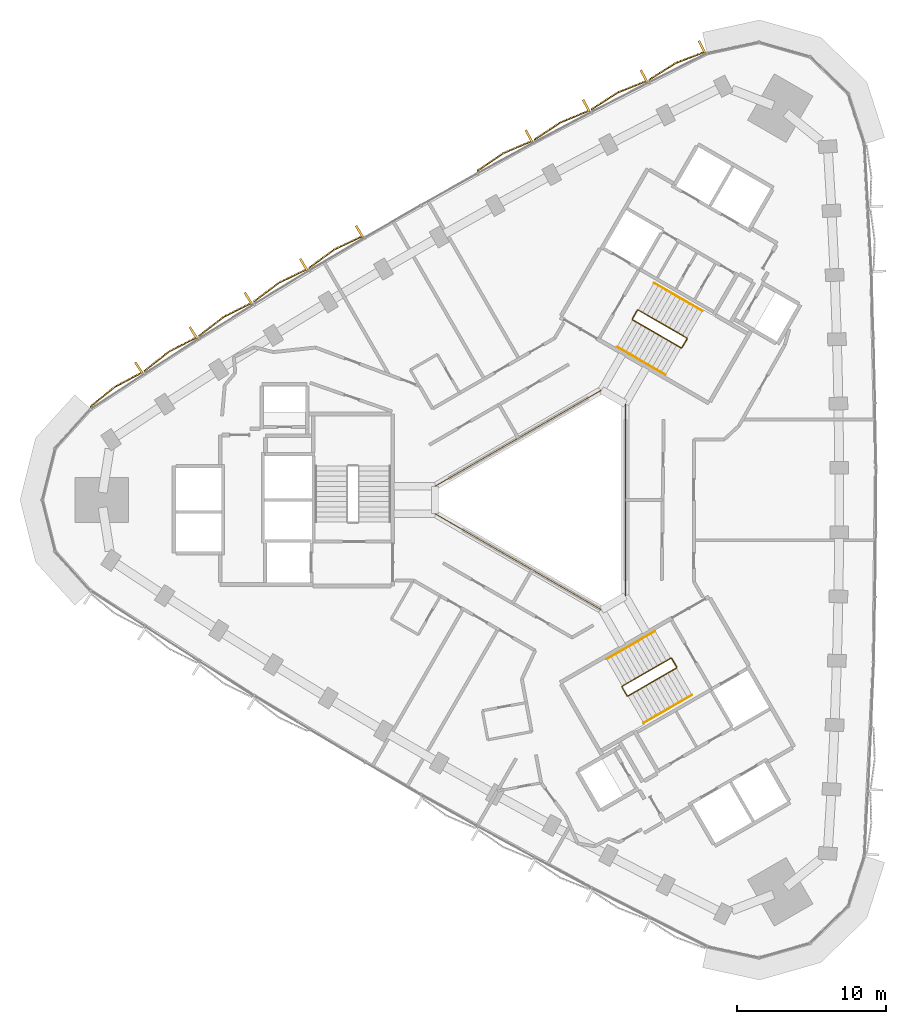
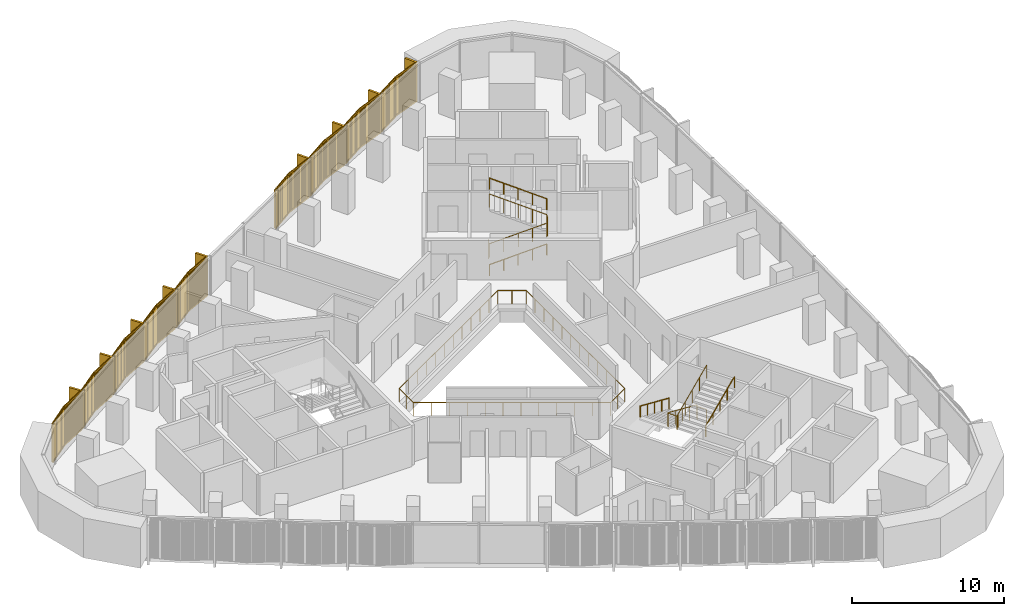
# One storey, part 13 of 14: 9 coverings, 7 railings.
"""IFC4 building model written with IfcOpenShell, lengths in metres."""

import ifcopenshell
import ifcopenshell.guid

model = None  # the IFC model being written
_history = None  # IfcOwnerHistory: only IFC2X3 demands one
_inside = {}  # id of a spatial element -> (the spatial element, [elements in it])
_under = {}  # id of a project, library or spatial element -> (it, [spatial elements below it])
_declared = {}  # id of a project -> (the project, [libraries it declares])
_typed = {}  # id of a type object -> (the type object, [elements of that type])
_made_of = {}  # id of a material, layer set ... -> (it, [elements and type objects made of it])


def new_model(schema):
    """Start an empty IFC model of exactly this schema.

    Asked for "IFC4X3", IfcOpenShell would pick the latest addendum, in which some entities
    have other attributes; the version numbers below select the first issue.
    IFC2X3 requires an IfcOwnerHistory on every rooted entity: one is made here for all.
    """
    global model, _history
    if schema == "IFC4X3":
        model = ifcopenshell.file(schema_version=(4, 3, 0, 0))
    else:
        model = ifcopenshell.file(schema=schema)
    _inside.clear()
    _under.clear()
    _declared.clear()
    _typed.clear()
    _made_of.clear()
    _history = None
    if model.schema == "IFC2X3":
        org = make("IfcOrganization", Name="unknown")
        user = make(
            "IfcPersonAndOrganization",
            ThePerson=make("IfcPerson", FamilyName="unknown"),
            TheOrganization=org,
        )
        app = make(
            "IfcApplication",
            ApplicationDeveloper=org,
            Version="unknown",
            ApplicationFullName="unknown",
            ApplicationIdentifier="unknown",
        )
        _history = make(
            "IfcOwnerHistory",
            OwningUser=user,
            OwningApplication=app,
            ChangeAction="ADDED",
            CreationDate=0,
        )
    return model


def make(cls, **values):
    """One entity of the class cls with the attributes given. An attribute that is None is left unset."""
    return model.create_entity(
        cls, **{name: value for name, value in values.items() if value is not None}
    )


def rooted(cls, **values):
    """An entity with a GlobalId (a new one), such as an element, a storey or a relation."""
    return make(cls, GlobalId=ifcopenshell.guid.new(), OwnerHistory=_history, **values)


def si_unit(unit_type, name, prefix=None):
    """IfcSIUnit, for example si_unit("LENGTHUNIT", "METRE", prefix="MILLI")."""
    return make("IfcSIUnit", UnitType=unit_type, Prefix=prefix, Name=name)


def assignment(units):
    """IfcUnitAssignment: the units of a project."""
    return None if units is None else make("IfcUnitAssignment", Units=units)


def point(xyz):
    """IfcCartesianPoint."""
    return None if xyz is None else make("IfcCartesianPoint", Coordinates=xyz)


def direction(xyz):
    """IfcDirection."""
    return None if xyz is None else make("IfcDirection", DirectionRatios=xyz)


def frame(location, z_axis=None, x_axis=None):
    """IfcAxis2Placement3D, a coordinate frame: its origin and axes. An axis left out is left unset."""
    return make(
        "IfcAxis2Placement3D",
        Location=point(location),
        Axis=direction(z_axis),
        RefDirection=direction(x_axis),
    )


def frame_2d(location, x_axis=None):
    """IfcAxis2Placement2D, a coordinate frame in the plane: its origin and x axis."""
    return make(
        "IfcAxis2Placement2D", Location=point(location), RefDirection=direction(x_axis)
    )


def origin():
    """The frame at (0, 0, 0) with its axes left unset."""
    return frame((0.0, 0.0, 0.0))


def origin_2d():
    """The frame at (0, 0) in the plane with its x axis left unset."""
    return frame_2d((0.0, 0.0))


def place(relative_to, where):
    """IfcLocalPlacement: puts the frame where relative to a parent placement (None: the world)."""
    return make(
        "IfcLocalPlacement", PlacementRelTo=relative_to, RelativePlacement=where
    )


def context(
    kind, dimensions, precision=None, world=None, true_north=None, identifier=None
):
    """IfcGeometricRepresentationContext, for example the 3D "Model" context."""
    return make(
        "IfcGeometricRepresentationContext",
        ContextIdentifier=identifier,
        ContextType=kind,
        CoordinateSpaceDimension=dimensions,
        Precision=precision,
        WorldCoordinateSystem=world,
        TrueNorth=true_north,
    )


def subcontext(parent, identifier, kind, view, scale=None):
    """IfcGeometricRepresentationSubContext, for example "Body" below "Model"."""
    return make(
        "IfcGeometricRepresentationSubContext",
        ContextIdentifier=identifier,
        ContextType=kind,
        ParentContext=parent,
        TargetScale=scale,
        TargetView=view,
    )


def project(units=None, contexts=None):
    """IfcProject with its units and contexts."""
    return rooted(
        "IfcProject",
        Name="project",
        RepresentationContexts=contexts,
        UnitsInContext=assignment(units),
    )


def spatial(cls, under=None, at=None, **own):
    """A site, building, storey or space (cls), placed at a placement, below another one or the project."""
    s = rooted(cls, ObjectPlacement=at, **own)
    if under is not None:
        _under.setdefault(under.id(), (under, []))[1].append(s)
    return s


def profile(cls, at=None, kind="AREA", **sizes):
    """A parametric profile (cls). Its sizes go by their IFC names, for example OverallWidth=200.0."""
    return make(cls, ProfileType=kind, Position=at, **sizes)


def rectangle(**sizes):
    """IfcRectangleProfileDef."""
    return profile("IfcRectangleProfileDef", **sizes)


def circle(**sizes):
    """IfcCircleProfileDef."""
    return profile("IfcCircleProfileDef", **sizes)


def extrude(swept, where, along, depth):
    """IfcExtrudedAreaSolid: the profile swept, set in the frame where, extruded along a direction by depth."""
    return make(
        "IfcExtrudedAreaSolid",
        SweptArea=swept,
        Position=where,
        ExtrudedDirection=direction(along),
        Depth=depth,
    )


def shape(context_of_items, identifier, shape_type, items):
    """IfcShapeRepresentation: the items that make up one representation, for example the "Body"."""
    return make(
        "IfcShapeRepresentation",
        ContextOfItems=context_of_items,
        RepresentationIdentifier=identifier,
        RepresentationType=shape_type,
        Items=items,
    )


def source(mapping_origin, context_of_items, identifier, shape_type, items):
    """IfcRepresentationMap: a shape defined once, which mapped items show again and again."""
    return make(
        "IfcRepresentationMap",
        MappingOrigin=mapping_origin,
        MappedRepresentation=shape(context_of_items, identifier, shape_type, items),
    )


def transform(
    local_origin,
    x_axis=None,
    y_axis=None,
    z_axis=None,
    scale=None,
    scale2=None,
    scale3=None,
    uniform=True,
):
    """IfcCartesianTransformationOperator3D, or its non-uniform kind. x_axis, y_axis, z_axis: its Axis1, 2, 3."""
    if uniform:
        return make(
            "IfcCartesianTransformationOperator3D",
            Axis1=direction(x_axis),
            Axis2=direction(y_axis),
            LocalOrigin=point(local_origin),
            Scale=scale,
            Axis3=direction(z_axis),
        )
    return make(
        "IfcCartesianTransformationOperator3DnonUniform",
        Axis1=direction(x_axis),
        Axis2=direction(y_axis),
        LocalOrigin=point(local_origin),
        Scale=scale,
        Axis3=direction(z_axis),
        Scale2=scale2,
        Scale3=scale3,
    )


def mapped(mapping_source, mapping_target):
    """IfcMappedItem: shows the shape of a source again, moved by a transform."""
    return make(
        "IfcMappedItem", MappingSource=mapping_source, MappingTarget=mapping_target
    )


def material(Name=None, Category=None):
    """IfcMaterial."""
    return make("IfcMaterial", Name=Name, Category=Category)


def made_of(thing, what):
    """Note that an element or type object is made of a material, layer set ...; save() writes the relation."""
    if what is not None:
        _made_of.setdefault(what.id(), (what, []))[1].append(thing)
    return thing


def type_object(cls, material=None, **own):
    """A type object (cls), such as IfcWallType, which elements share."""
    return made_of(rooted(cls, **own), material)


def element(
    cls,
    number,
    at=None,
    inside=None,
    cuts=None,
    type_object=None,
    material=None,
    context=None,
    identifier="Body",
    shape_type=None,
    held_by="IfcProductDefinitionShape",
    body=None,
    shapes=None,
    **own,
):
    """One element of the class cls, such as IfcWall. Its Tag is "e" and its number.

    at: its placement. inside: the storey or other place that contains it. cuts: it is an
    opening in that element (IfcRelVoidsElement). A single representation is given by context,
    identifier, shape_type and body (its items); several are given by shapes. held_by: the class
    of the entity that holds the representations. save() writes the other relations.
    """
    e = rooted(cls, Tag="e%d" % number, ObjectPlacement=at, **own)
    if body is not None:
        shapes = [shape(context, identifier, shape_type, body)]
    if shapes is not None:
        e.Representation = make(held_by, Representations=shapes)
    if inside is not None:
        _inside.setdefault(inside.id(), (inside, []))[1].append(e)
    if cuts is not None:
        rooted(
            "IfcRelVoidsElement", RelatingBuildingElement=cuts, RelatedOpeningElement=e
        )
    if type_object is not None:
        _typed.setdefault(type_object.id(), (type_object, []))[1].append(e)
    return made_of(e, material)


def aggregate(whole, parts):
    """IfcRelAggregates: a whole, such as a stair, and the parts it consists of."""
    return rooted("IfcRelAggregates", RelatingObject=whole, RelatedObjects=parts)


def save(model, path):
    """Write the relations noted so far, then the file.

    IfcRelAggregates (storeys below a building ...), IfcRelContainedInSpatialStructure (elements
    in a storey), IfcRelDefinesByType, IfcRelAssociatesMaterial and IfcRelDeclares: one each for
    every whole, place, type object, material and project.
    """
    for whole, parts in _under.values():
        aggregate(whole, parts)
    for where, things in _inside.values():
        rooted(
            "IfcRelContainedInSpatialStructure",
            RelatedElements=things,
            RelatingStructure=where,
        )
    for kind, things in _typed.values():
        rooted("IfcRelDefinesByType", RelatedObjects=things, RelatingType=kind)
    for what, things in _made_of.values():
        rooted("IfcRelAssociatesMaterial", RelatedObjects=things, RelatingMaterial=what)
    for by, libraries in _declared.values():
        rooted("IfcRelDeclares", RelatingContext=by, RelatedDefinitions=libraries)
    model.write(path)


model = new_model("IFC4")

# Units and contexts
model_context = context("Model", 3, precision=1e-05, world=origin(), true_north=direction((0.0, 1.0)))
body_context = subcontext(model_context, "Body", "Model", "MODEL_VIEW")
ifc_project = project(units=[si_unit("LENGTHUNIT", "METRE"), si_unit("AREAUNIT", "SQUARE_METRE"), si_unit("VOLUMEUNIT", "CUBIC_METRE"), si_unit("PLANEANGLEUNIT", "RADIAN"), si_unit("MASSUNIT", "GRAM", prefix="KILO")], contexts=[model_context])

# Site, building, storey
site_placement = place(None, origin())
site = spatial("IfcSite", under=ifc_project, at=site_placement, CompositionType="ELEMENT")
building_placement = place(site_placement, origin())
building = spatial("IfcBuilding", under=site, at=building_placement, Name="Tamra Quay Hotel Tower", CompositionType="ELEMENT")
storey_placement = place(building_placement, frame((0.0, 0.0, 146.800048828125)))
storey = spatial("IfcBuildingStorey", under=building, at=storey_placement, Name="L36", CompositionType="ELEMENT", Elevation=146.800048828125)

# Railings
ifc_material_1 = material(Name="Guard atrium edge 1100")
railing_type_1 = type_object("IfcRailingType", Name="Guard atrium edge 1100", PredefinedType="GUARDRAIL", material=ifc_material_1)
railing_1_placement = place(storey_placement, frame((4.800048828125, -6.466064453125, 0.0)))
element("IfcRailing", 1, at=railing_1_placement, inside=storey, type_object=railing_type_1, Name="G-A", PredefinedType="GUARDRAIL", context=body_context, shape_type="SweptSolid", body=[
    extrude(circle(Radius=0.02392578125, at=origin_2d()), frame((0.0, 0.0, 1.076171875), z_axis=(-0.86602275259, -0.500004591975, 0.0), x_axis=(0.500004591975, -0.86602275259, 0.0)), (0.0, 0.0, 1.0), 1.84765625),
    extrude(circle(Radius=0.02392578125, at=origin_2d()), frame((-1.60009765625, -0.923828125, 1.076171875), z_axis=(-0.86604129137, 0.499972480886, 0.0), x_axis=(-0.499972480886, -0.86604129137, 0.0)), (0.0, 0.0, 1.0), 12.932373046875),
    extrude(circle(Radius=0.02392578125, at=origin_2d()), frame((-12.800048828125, 5.5419921875, 1.076171875), z_axis=(0.0, 1.0, 0.0), x_axis=(-1.0, 0.0, 0.0)), (0.0, 0.0, 1.0), 1.84814453125),
    extrude(circle(Radius=0.02392578125, at=origin_2d()), frame((-12.800048828125, 7.39013671875, 1.076171875), z_axis=(0.86604129137, 0.499972480886, 0.0), x_axis=(-0.499972480886, 0.86604129137, 0.0)), (0.0, 0.0, 1.0), 12.932373046875),
    extrude(circle(Radius=0.02392578125, at=origin_2d()), frame((-1.60009765625, 13.85595703125, 1.076171875), z_axis=(0.86602275259, -0.500004591975, 0.0), x_axis=(0.500004591975, 0.86602275259, 0.0)), (0.0, 0.0, 1.0), 1.84765625),
    extrude(circle(Radius=0.02392578125, at=origin_2d()), frame((0.0, 12.93212890625, 1.076171875), z_axis=(0.0, -1.0, 0.0), x_axis=(1.0, 0.0, 0.0)), (0.0, 0.0, 1.0), 12.93212890625),
    extrude(circle(Radius=0.02099609375, at=origin_2d()), origin(), (0.0, 0.0, 1.0), 1.052001953125),
    extrude(circle(Radius=0.02099609375, at=origin_2d()), frame((-0.800048828125, -0.4619140625, 0.0)), (0.0, 0.0, 1.0), 1.052001953125),
    extrude(circle(Radius=0.02099609375, at=origin_2d()), frame((-1.60009765625, -0.923828125, 0.0)), (0.0, 0.0, 1.0), 1.052001953125),
    extrude(circle(Radius=0.02099609375, at=origin_2d()), frame((-2.6181640625, -0.3359375, 0.0)), (0.0, 0.0, 1.0), 1.052001953125),
    extrude(circle(Radius=0.02099609375, at=origin_2d()), frame((-3.636474609375, 0.251708984375, 0.0)), (0.0, 0.0, 1.0), 1.052001953125),
    extrude(circle(Radius=0.02099609375, at=origin_2d()), frame((-4.654541015625, 0.839599609375, 0.0)), (0.0, 0.0, 1.0), 1.052001953125),
    extrude(circle(Radius=0.02099609375, at=origin_2d()), frame((-5.6728515625, 1.427490234375, 0.0)), (0.0, 0.0, 1.0), 1.052001953125),
    extrude(circle(Radius=0.02099609375, at=origin_2d()), frame((-6.69091796875, 2.01513671875, 0.0)), (0.0, 0.0, 1.0), 1.052001953125),
    extrude(circle(Radius=0.02099609375, at=origin_2d()), frame((-7.709228515625, 2.60302734375, 0.0)), (0.0, 0.0, 1.0), 1.052001953125),
    extrude(circle(Radius=0.02099609375, at=origin_2d()), frame((-8.727294921875, 3.190673828125, 0.0)), (0.0, 0.0, 1.0), 1.052001953125),
    extrude(circle(Radius=0.02099609375, at=origin_2d()), frame((-9.74560546875, 3.778564453125, 0.0)), (0.0, 0.0, 1.0), 1.052001953125),
    extrude(circle(Radius=0.02099609375, at=origin_2d()), frame((-10.763671875, 4.366455078125, 0.0)), (0.0, 0.0, 1.0), 1.052001953125),
    extrude(circle(Radius=0.02099609375, at=origin_2d()), frame((-11.781982421875, 4.9541015625, 0.0)), (0.0, 0.0, 1.0), 1.052001953125),
    extrude(circle(Radius=0.02099609375, at=origin_2d()), frame((-12.800048828125, 5.5419921875, 0.0)), (0.0, 0.0, 1.0), 1.052001953125),
    extrude(circle(Radius=0.02099609375, at=origin_2d()), frame((-12.800048828125, 6.466064453125, 0.0)), (0.0, 0.0, 1.0), 1.052001953125),
    extrude(circle(Radius=0.02099609375, at=origin_2d()), frame((-12.800048828125, 7.39013671875, 0.0)), (0.0, 0.0, 1.0), 1.052001953125),
    extrude(circle(Radius=0.02099609375, at=origin_2d()), frame((-11.781982421875, 7.97802734375, 0.0)), (0.0, 0.0, 1.0), 1.052001953125),
    extrude(circle(Radius=0.02099609375, at=origin_2d()), frame((-10.763671875, 8.565673828125, 0.0)), (0.0, 0.0, 1.0), 1.052001953125),
    extrude(circle(Radius=0.02099609375, at=origin_2d()), frame((-9.74560546875, 9.153564453125, 0.0)), (0.0, 0.0, 1.0), 1.052001953125),
    extrude(circle(Radius=0.02099609375, at=origin_2d()), frame((-8.727294921875, 9.741455078125, 0.0)), (0.0, 0.0, 1.0), 1.052001953125),
    extrude(circle(Radius=0.02099609375, at=origin_2d()), frame((-7.709228515625, 10.3291015625, 0.0)), (0.0, 0.0, 1.0), 1.052001953125),
    extrude(circle(Radius=0.02099609375, at=origin_2d()), frame((-6.69091796875, 10.9169921875, 0.0)), (0.0, 0.0, 1.0), 1.052001953125),
    extrude(circle(Radius=0.02099609375, at=origin_2d()), frame((-5.6728515625, 11.504638671875, 0.0)), (0.0, 0.0, 1.0), 1.052001953125),
    extrude(circle(Radius=0.02099609375, at=origin_2d()), frame((-4.654541015625, 12.092529296875, 0.0)), (0.0, 0.0, 1.0), 1.052001953125),
    extrude(circle(Radius=0.02099609375, at=origin_2d()), frame((-3.636474609375, 12.680419921875, 0.0)), (0.0, 0.0, 1.0), 1.052001953125),
    extrude(circle(Radius=0.02099609375, at=origin_2d()), frame((-2.6181640625, 13.26806640625, 0.0)), (0.0, 0.0, 1.0), 1.052001953125),
    extrude(circle(Radius=0.02099609375, at=origin_2d()), frame((-1.60009765625, 13.85595703125, 0.0)), (0.0, 0.0, 1.0), 1.052001953125),
    extrude(circle(Radius=0.02099609375, at=origin_2d()), frame((-0.800048828125, 13.39404296875, 0.0)), (0.0, 0.0, 1.0), 1.052001953125),
    extrude(circle(Radius=0.02099609375, at=origin_2d()), frame((0.0, 12.93212890625, 0.0)), (0.0, 0.0, 1.0), 1.052001953125),
    extrude(circle(Radius=0.02099609375, at=origin_2d()), frame((0.0, 11.756591796875, 0.0)), (0.0, 0.0, 1.0), 1.052001953125),
    extrude(circle(Radius=0.02099609375, at=origin_2d()), frame((0.0, 10.580810546875, 0.0)), (0.0, 0.0, 1.0), 1.052001953125),
    extrude(circle(Radius=0.02099609375, at=origin_2d()), frame((0.0, 9.4052734375, 0.0)), (0.0, 0.0, 1.0), 1.052001953125),
    extrude(circle(Radius=0.02099609375, at=origin_2d()), frame((0.0, 8.2294921875, 0.0)), (0.0, 0.0, 1.0), 1.052001953125),
    extrude(circle(Radius=0.02099609375, at=origin_2d()), frame((0.0, 7.053955078125, 0.0)), (0.0, 0.0, 1.0), 1.052001953125),
    extrude(circle(Radius=0.02099609375, at=origin_2d()), frame((0.0, 5.878173828125, 0.0)), (0.0, 0.0, 1.0), 1.052001953125),
    extrude(circle(Radius=0.02099609375, at=origin_2d()), frame((0.0, 4.70263671875, 0.0)), (0.0, 0.0, 1.0), 1.052001953125),
    extrude(circle(Radius=0.02099609375, at=origin_2d()), frame((0.0, 3.52685546875, 0.0)), (0.0, 0.0, 1.0), 1.052001953125),
    extrude(circle(Radius=0.02099609375, at=origin_2d()), frame((0.0, 2.351318359375, 0.0)), (0.0, 0.0, 1.0), 1.052001953125),
    extrude(circle(Radius=0.02099609375, at=origin_2d()), frame((0.0, 1.175537109375, 0.0)), (0.0, 0.0, 1.0), 1.052001953125),
])
ifc_material_2 = material(Name="Stair guard 1100")
railing_type_2 = type_object("IfcRailingType", Name="Stair guard 1100", PredefinedType="GUARDRAIL", material=ifc_material_2)
railing_2_placement = place(storey_placement, frame((5.595458984375, 12.751953125, 0.0)))
element("IfcRailing", 2, at=railing_2_placement, inside=storey, type_object=railing_type_2, Name="GR", PredefinedType="GUARDRAIL", context=body_context, shape_type="SweptSolid", body=[
    extrude(circle(Radius=0.02392578125, at=origin_2d()), frame((0.0, 0.0, 1.076171875), z_axis=(-0.499765215335, -0.866160914346, 0.0), x_axis=(0.866160914346, -0.499765215335, 0.0)), (0.0, 0.0, 1.0), 0.658935546875),
    extrude(circle(Radius=0.02392578125, at=origin_2d()), frame((-0.329345703125, -0.57080078125, 1.076171875), z_axis=(0.110525977783, -0.411156637351, 0.904839338113), x_axis=(0.965715946433, 0.259601060869, 0.0)), (0.0, 0.0, 1.0), 0.165771484375),
    extrude(circle(Radius=0.02392578125, at=origin_2d()), frame((-0.31103515625, -0.638916015625, 1.22607421875), z_axis=(0.79305953016, -0.457922937641, 0.401700342053), x_axis=(0.500040788363, 0.866001853331, 0.0)), (0.0, 0.0, 1.0), 4.10791015625),
    extrude(circle(Radius=0.02392578125, at=origin_2d()), frame((2.94677734375, -2.52001953125, 2.8759765625), z_axis=(0.965948051503, 0.258736085224, 0.0), x_axis=(-0.258736085224, 0.965948051503, 0.0)), (0.0, 0.0, 1.0), 0.07080078125),
    extrude(circle(Radius=0.02392578125, at=origin_2d()), frame((3.01513671875, -2.501708984375, 2.8759765625), z_axis=(0.500043078269, 0.866000531106, 0.0), x_axis=(-0.866000531106, 0.500043078269, 0.0)), (0.0, 0.0, 1.0), 0.6591796875),
    extrude(circle(Radius=0.02392578125, at=origin_2d()), frame((3.3447265625, -1.930908203125, 2.8759765625), z_axis=(-0.110525977783, 0.411156637351, 0.904839338113), x_axis=(-0.965715946433, -0.259601060869, 0.0)), (0.0, 0.0, 1.0), 0.165771484375),
    extrude(circle(Radius=0.02392578125, at=origin_2d()), frame((3.326416015625, -1.86279296875, 3.02587890625), z_axis=(-0.793100512587, 0.457912285461, 0.401631567183), x_axis=(-0.500012686397, -0.866018079166, 0.0)), (0.0, 0.0, 1.0), 4.10791015625),
    extrude(circle(Radius=0.02099609375, at=origin_2d()), origin(), (0.0, 0.0, 1.0), 1.052001953125),
    extrude(circle(Radius=0.02099609375, at=origin_2d()), frame((-0.329345703125, -0.57080078125, 0.0)), (0.0, 0.0, 1.0), 1.052001953125),
    extrude(circle(Radius=0.02099609375, at=origin_2d()), frame((-0.31103515625, -0.638916015625, 0.14990234375)), (0.0, 0.0, 1.0), 1.052001953125),
    extrude(circle(Radius=0.02099609375, at=origin_2d()), frame((0.50341796875, -1.109130859375, 0.5625)), (0.0, 0.0, 1.0), 1.052001953125),
    extrude(circle(Radius=0.02099609375, at=origin_2d()), frame((1.31787109375, -1.57958984375, 0.97509765625)), (0.0, 0.0, 1.0), 1.052001953125),
    extrude(circle(Radius=0.02099609375, at=origin_2d()), frame((2.13232421875, -2.0498046875, 1.387451171875)), (0.0, 0.0, 1.0), 1.052001953125),
    extrude(circle(Radius=0.02099609375, at=origin_2d()), frame((2.94677734375, -2.52001953125, 1.800048828125)), (0.0, 0.0, 1.0), 1.052001953125),
    extrude(circle(Radius=0.02099609375, at=origin_2d()), frame((3.01513671875, -2.501708984375, 1.800048828125)), (0.0, 0.0, 1.0), 1.052001953125),
    extrude(circle(Radius=0.02099609375, at=origin_2d()), frame((3.3447265625, -1.930908203125, 1.800048828125)), (0.0, 0.0, 1.0), 1.052001953125),
    extrude(circle(Radius=0.02099609375, at=origin_2d()), frame((3.326416015625, -1.86279296875, 1.949951171875)), (0.0, 0.0, 1.0), 1.052001953125),
    extrude(circle(Radius=0.02099609375, at=origin_2d()), frame((2.511962890625, -1.392578125, 2.3623046875)), (0.0, 0.0, 1.0), 1.052001953125),
    extrude(circle(Radius=0.02099609375, at=origin_2d()), frame((1.697265625, -0.92236328125, 2.77490234375)), (0.0, 0.0, 1.0), 1.052001953125),
    extrude(circle(Radius=0.02099609375, at=origin_2d()), frame((0.8828125, -0.451904296875, 3.1875)), (0.0, 0.0, 1.0), 1.052001953125),
    extrude(circle(Radius=0.02099609375, at=origin_2d()), frame((0.068359375, 0.018310546875, 3.599853515625)), (0.0, 0.0, 1.0), 1.052001953125),
])
railing_3_placement = place(storey_placement, frame((8.245849609375, -11.221923828125, 0.0)))
element("IfcRailing", 3, at=railing_3_placement, inside=storey, type_object=railing_type_2, Name="GR", PredefinedType="GUARDRAIL", context=body_context, shape_type="SweptSolid", body=[
    extrude(circle(Radius=0.02392578125, at=origin_2d()), frame((0.0, 0.0, 1.076171875), z_axis=(-0.500043078269, 0.866000531106, 0.0), x_axis=(-0.866000531106, -0.500043078269, 0.0)), (0.0, 0.0, 1.0), 0.6591796875),
    extrude(circle(Radius=0.02392578125, at=origin_2d()), frame((-0.32958984375, 0.57080078125, 1.076171875), z_axis=(-0.41238007866, 0.110458949641, 0.904290601062), x_axis=(-0.258736085224, -0.965948051503, 0.0)), (0.0, 0.0, 1.0), 0.165771484375),
    extrude(circle(Radius=0.02392578125, at=origin_2d()), frame((-0.39794921875, 0.589111328125, 1.22607421875), z_axis=(-0.793081581205, -0.457901355053, 0.401681409319), x_axis=(0.500012686397, -0.866018079166, 0.0)), (0.0, 0.0, 1.0), 4.108154296875),
    extrude(circle(Radius=0.02392578125, at=origin_2d()), frame((-3.656005859375, -1.2919921875, 2.8759765625), z_axis=(-0.256368644879, -0.966579080015, 0.0), x_axis=(0.966579080015, -0.256368644879, 0.0)), (0.0, 0.0, 1.0), 0.070556640625),
    extrude(circle(Radius=0.02392578125, at=origin_2d()), frame((-3.674072265625, -1.360107421875, 2.8759765625), z_axis=(0.499765215335, -0.866160914346, 0.0), x_axis=(0.866160914346, 0.499765215335, 0.0)), (0.0, 0.0, 1.0), 0.658935546875),
    extrude(circle(Radius=0.02392578125, at=origin_2d()), frame((-3.3447265625, -1.930908203125, 2.8759765625), z_axis=(0.41238007866, -0.110458949641, 0.904290601062), x_axis=(0.258736085224, 0.965948051503, 0.0)), (0.0, 0.0, 1.0), 0.165771484375),
    extrude(circle(Radius=0.02392578125, at=origin_2d()), frame((-3.2763671875, -1.94921875, 3.02587890625), z_axis=(0.793100512587, 0.457912285461, 0.401631567183), x_axis=(-0.500012686397, 0.866018079166, 0.0)), (0.0, 0.0, 1.0), 4.10791015625),
    extrude(circle(Radius=0.02099609375, at=origin_2d()), origin(), (0.0, 0.0, 1.0), 1.052001953125),
    extrude(circle(Radius=0.02099609375, at=origin_2d()), frame((-0.32958984375, 0.57080078125, 0.0)), (0.0, 0.0, 1.0), 1.052001953125),
    extrude(circle(Radius=0.02099609375, at=origin_2d()), frame((-0.39794921875, 0.589111328125, 0.14990234375)), (0.0, 0.0, 1.0), 1.052001953125),
    extrude(circle(Radius=0.02099609375, at=origin_2d()), frame((-1.21240234375, 0.118896484375, 0.5625)), (0.0, 0.0, 1.0), 1.052001953125),
    extrude(circle(Radius=0.02099609375, at=origin_2d()), frame((-2.02685546875, -0.3515625, 0.97509765625)), (0.0, 0.0, 1.0), 1.052001953125),
    extrude(circle(Radius=0.02099609375, at=origin_2d()), frame((-2.841552734375, -0.82177734375, 1.387451171875)), (0.0, 0.0, 1.0), 1.052001953125),
    extrude(circle(Radius=0.02099609375, at=origin_2d()), frame((-3.656005859375, -1.2919921875, 1.800048828125)), (0.0, 0.0, 1.0), 1.052001953125),
    extrude(circle(Radius=0.02099609375, at=origin_2d()), frame((-3.674072265625, -1.360107421875, 1.800048828125)), (0.0, 0.0, 1.0), 1.052001953125),
    extrude(circle(Radius=0.02099609375, at=origin_2d()), frame((-3.3447265625, -1.930908203125, 1.800048828125)), (0.0, 0.0, 1.0), 1.052001953125),
    extrude(circle(Radius=0.02099609375, at=origin_2d()), frame((-3.2763671875, -1.94921875, 1.949951171875)), (0.0, 0.0, 1.0), 1.052001953125),
    extrude(circle(Radius=0.02099609375, at=origin_2d()), frame((-2.4619140625, -1.47900390625, 2.3623046875)), (0.0, 0.0, 1.0), 1.052001953125),
    extrude(circle(Radius=0.02099609375, at=origin_2d()), frame((-1.6474609375, -1.0087890625, 2.77490234375)), (0.0, 0.0, 1.0), 1.052001953125),
    extrude(circle(Radius=0.02099609375, at=origin_2d()), frame((-0.832763671875, -0.538330078125, 3.1875)), (0.0, 0.0, 1.0), 1.052001953125),
    extrude(circle(Radius=0.02099609375, at=origin_2d()), frame((-0.018310546875, -0.068115234375, 3.599853515625)), (0.0, 0.0, 1.0), 1.052001953125),
])
ifc_material_3 = material(Name="Stair handrail 900")
railing_type_3 = type_object("IfcRailingType", Name="Stair handrail 900", PredefinedType="HANDRAIL", material=ifc_material_3)
railing_4_placement = place(storey_placement, frame((4.234375, 10.294189453125, 0.14990234375)))
element("IfcRailing", 4, at=railing_4_placement, inside=storey, type_object=railing_type_3, Name="HR", PredefinedType="HANDRAIL", context=body_context, shape_type="SweptSolid", body=[
    extrude(circle(Radius=0.02392578125, at=origin_2d()), frame((0.0, 0.0, 0.8759765625), z_axis=(0.793103162556, -0.457854384738, 0.401692339881), x_axis=(0.499964013922, 0.86604617936, 0.0)), (0.0, 0.0, 1.0), 4.10791015625),
    extrude(circle(Radius=0.02099609375, at=origin_2d()), origin(), (0.0, 0.0, 1.0), 0.851806640625),
    extrude(circle(Radius=0.02099609375, at=origin_2d()), frame((0.814453125, -0.47021484375, 0.41259765625)), (0.0, 0.0, 1.0), 0.851806640625),
    extrude(circle(Radius=0.02099609375, at=origin_2d()), frame((1.62890625, -0.9404296875, 0.8251953125)), (0.0, 0.0, 1.0), 0.851806640625),
    extrude(circle(Radius=0.02099609375, at=origin_2d()), frame((2.443603515625, -1.41064453125, 1.237548828125)), (0.0, 0.0, 1.0), 0.851806640625),
    extrude(circle(Radius=0.02099609375, at=origin_2d()), frame((3.258056640625, -1.880859375, 1.650146484375)), (0.0, 0.0, 1.0), 0.851806640625),
])
railing_5_placement = place(storey_placement, frame((9.971923828125, 12.7080078125, 1.949951171875)))
element("IfcRailing", 5, at=railing_5_placement, inside=storey, type_object=railing_type_3, Name="HR", PredefinedType="HANDRAIL", context=body_context, shape_type="SweptSolid", body=[
    extrude(circle(Radius=0.02392578125, at=origin_2d()), frame((0.0, 0.0, 0.8759765625), z_axis=(-0.793122095483, 0.45786531462, 0.401642496911), x_axis=(-0.499964013922, -0.86604617936, 0.0)), (0.0, 0.0, 1.0), 4.10791015625),
    extrude(circle(Radius=0.02099609375, at=origin_2d()), origin(), (0.0, 0.0, 1.0), 0.851806640625),
    extrude(circle(Radius=0.02099609375, at=origin_2d()), frame((-0.814453125, 0.47021484375, 0.41259765625)), (0.0, 0.0, 1.0), 0.851806640625),
    extrude(circle(Radius=0.02099609375, at=origin_2d()), frame((-1.62890625, 0.9404296875, 0.824951171875)), (0.0, 0.0, 1.0), 0.851806640625),
    extrude(circle(Radius=0.02099609375, at=origin_2d()), frame((-2.443603515625, 1.41064453125, 1.2373046875)), (0.0, 0.0, 1.0), 0.851806640625),
    extrude(circle(Radius=0.02099609375, at=origin_2d()), frame((-3.258056640625, 1.880859375, 1.64990234375)), (0.0, 0.0, 1.0), 0.851806640625),
])
railing_6_placement = place(storey_placement, frame((6.7978515625, -8.814208984375, 0.14990234375)))
element("IfcRailing", 6, at=railing_6_placement, inside=storey, type_object=railing_type_3, Name="HR", PredefinedType="HANDRAIL", context=body_context, shape_type="SweptSolid", body=[
    extrude(circle(Radius=0.02392578125, at=origin_2d()), frame((0.0, 0.0, 0.8759765625), z_axis=(-0.793081112945, -0.457875966286, 0.40171127416), x_axis=(0.499992114976, -0.866029956157, 0.0)), (0.0, 0.0, 1.0), 4.10791015625),
    extrude(circle(Radius=0.02099609375, at=origin_2d()), origin(), (0.0, 0.0, 1.0), 0.851806640625),
    extrude(circle(Radius=0.02099609375, at=origin_2d()), frame((-0.814453125, -0.47021484375, 0.41259765625)), (0.0, 0.0, 1.0), 0.851806640625),
    extrude(circle(Radius=0.02099609375, at=origin_2d()), frame((-1.62890625, -0.9404296875, 0.8251953125)), (0.0, 0.0, 1.0), 0.851806640625),
    extrude(circle(Radius=0.02099609375, at=origin_2d()), frame((-2.443359375, -1.41064453125, 1.237548828125)), (0.0, 0.0, 1.0), 0.851806640625),
    extrude(circle(Radius=0.02099609375, at=origin_2d()), frame((-3.2578125, -1.880859375, 1.650146484375)), (0.0, 0.0, 1.0), 0.851806640625),
])
railing_7_placement = place(storey_placement, frame((6.01953125, -14.98974609375, 1.949951171875)))
element("IfcRailing", 7, at=railing_7_placement, inside=storey, type_object=railing_type_3, Name="HR", PredefinedType="HANDRAIL", context=body_context, shape_type="SweptSolid", body=[
    extrude(circle(Radius=0.02392578125, at=origin_2d()), frame((0.0, 0.0, 0.8759765625), z_axis=(0.79310004713, 0.457886897714, 0.401661429744), x_axis=(-0.499992114976, 0.866029956157, 0.0)), (0.0, 0.0, 1.0), 4.107666015625),
    extrude(circle(Radius=0.02099609375, at=origin_2d()), origin(), (0.0, 0.0, 1.0), 0.851806640625),
    extrude(circle(Radius=0.02099609375, at=origin_2d()), frame((0.814453125, 0.47021484375, 0.41259765625)), (0.0, 0.0, 1.0), 0.851806640625),
    extrude(circle(Radius=0.02099609375, at=origin_2d()), frame((1.62890625, 0.9404296875, 0.824951171875)), (0.0, 0.0, 1.0), 0.851806640625),
    extrude(circle(Radius=0.02099609375, at=origin_2d()), frame((2.443359375, 1.41064453125, 1.2373046875)), (0.0, 0.0, 1.0), 0.851806640625),
    extrude(circle(Radius=0.02099609375, at=origin_2d()), frame((3.2578125, 1.880859375, 1.64990234375)), (0.0, 0.0, 1.0), 0.851806640625),
])

# Coverings
ifc_material_4 = material(Name="Terracotta baguette extruded", Category="masonry")
covering_type = type_object("IfcCoveringType", Name="BAGUETTE SCREEN NW-V H3200", PredefinedType="USERDEFINED", material=ifc_material_4)
shared_shape = source(origin(), body_context, "Body", "SweptSolid", [
    extrude(rectangle(XDim=2.142333984375, YDim=0.06005859375, at=frame_2d((1.0712890625, 0.030029296875))), frame((-2.13818359375, -0.0576171875, -0.1201171875), z_axis=(0.0, 0.0, 1.0), x_axis=(0.995396198367, -0.09584575252, 0.0)), (0.0, 0.0, 1.0), 0.1201171875),
    extrude(rectangle(XDim=2.142333984375, YDim=0.06005859375, at=frame_2d((1.0712890625, 0.030029296875))), frame((-2.13818359375, -0.0576171875, -3.199951171875), z_axis=(0.0, 0.0, 1.0), x_axis=(0.995396198367, -0.09584575252, 0.0)), (0.0, 0.0, 1.0), 0.1201171875),
    extrude(rectangle(XDim=0.070068359375, YDim=0.10009765625, at=frame_2d((0.03515625, 0.050048828125))), frame((-2.11669921875, -0.1328125, -3.139892578125)), (0.0, 0.0, 1.0), 3.080078125),
    extrude(rectangle(XDim=0.070068359375, YDim=0.10009765625, at=frame_2d((0.03515625, 0.050048828125))), frame((-2.01513671875, -0.142578125, -3.139892578125)), (0.0, 0.0, 1.0), 3.080078125),
    extrude(rectangle(XDim=0.070068359375, YDim=0.10009765625, at=frame_2d((0.03515625, 0.050048828125))), frame((-1.91357421875, -0.15234375, -3.139892578125)), (0.0, 0.0, 1.0), 3.080078125),
    extrude(rectangle(XDim=0.070068359375, YDim=0.10009765625, at=frame_2d((0.03515625, 0.050048828125))), frame((-1.81201171875, -0.162109375, -3.139892578125)), (0.0, 0.0, 1.0), 3.080078125),
    extrude(rectangle(XDim=0.070068359375, YDim=0.10009765625, at=frame_2d((0.03515625, 0.050048828125))), frame((-1.71044921875, -0.172119140625, -3.139892578125)), (0.0, 0.0, 1.0), 3.080078125),
    extrude(rectangle(XDim=0.070068359375, YDim=0.10009765625, at=frame_2d((0.03515625, 0.050048828125))), frame((-1.60888671875, -0.181884765625, -3.139892578125)), (0.0, 0.0, 1.0), 3.080078125),
    extrude(rectangle(XDim=0.070068359375, YDim=0.10009765625, at=frame_2d((0.03515625, 0.050048828125))), frame((-1.50732421875, -0.191650390625, -3.139892578125)), (0.0, 0.0, 1.0), 3.080078125),
    extrude(rectangle(XDim=0.070068359375, YDim=0.10009765625, at=frame_2d((0.03515625, 0.050048828125))), frame((-1.406005859375, -0.201416015625, -3.139892578125)), (0.0, 0.0, 1.0), 3.080078125),
    extrude(rectangle(XDim=0.070068359375, YDim=0.10009765625, at=frame_2d((0.03515625, 0.050048828125))), frame((-1.304443359375, -0.211181640625, -3.139892578125)), (0.0, 0.0, 1.0), 3.080078125),
    extrude(rectangle(XDim=0.070068359375, YDim=0.10009765625, at=frame_2d((0.03515625, 0.050048828125))), frame((-1.202880859375, -0.220947265625, -3.139892578125)), (0.0, 0.0, 1.0), 3.080078125),
    extrude(rectangle(XDim=0.070068359375, YDim=0.10009765625, at=frame_2d((0.03515625, 0.050048828125))), frame((-1.101318359375, -0.230712890625, -3.139892578125)), (0.0, 0.0, 1.0), 3.080078125),
    extrude(rectangle(XDim=0.070068359375, YDim=0.10009765625, at=frame_2d((0.03515625, 0.050048828125))), frame((-0.999755859375, -0.240478515625, -3.139892578125)), (0.0, 0.0, 1.0), 3.080078125),
    extrude(rectangle(XDim=0.070068359375, YDim=0.10009765625, at=frame_2d((0.03515625, 0.050048828125))), frame((-0.898193359375, -0.250244140625, -3.139892578125)), (0.0, 0.0, 1.0), 3.080078125),
    extrude(rectangle(XDim=0.070068359375, YDim=0.10009765625, at=frame_2d((0.03515625, 0.050048828125))), frame((-0.796630859375, -0.260009765625, -3.139892578125)), (0.0, 0.0, 1.0), 3.080078125),
    extrude(rectangle(XDim=0.070068359375, YDim=0.10009765625, at=frame_2d((0.03515625, 0.050048828125))), frame((-0.695068359375, -0.269775390625, -3.139892578125)), (0.0, 0.0, 1.0), 3.080078125),
    extrude(rectangle(XDim=0.070068359375, YDim=0.10009765625, at=frame_2d((0.03515625, 0.050048828125))), frame((-0.593505859375, -0.279541015625, -3.139892578125)), (0.0, 0.0, 1.0), 3.080078125),
    extrude(rectangle(XDim=0.070068359375, YDim=0.10009765625, at=frame_2d((0.03515625, 0.050048828125))), frame((-0.491943359375, -0.289306640625, -3.139892578125)), (0.0, 0.0, 1.0), 3.080078125),
    extrude(rectangle(XDim=0.070068359375, YDim=0.10009765625, at=frame_2d((0.03515625, 0.050048828125))), frame((-0.390380859375, -0.299072265625, -3.139892578125)), (0.0, 0.0, 1.0), 3.080078125),
    extrude(rectangle(XDim=0.070068359375, YDim=0.10009765625, at=frame_2d((0.03515625, 0.050048828125))), frame((-0.288818359375, -0.308837890625, -3.139892578125)), (0.0, 0.0, 1.0), 3.080078125),
    extrude(rectangle(XDim=0.070068359375, YDim=0.10009765625, at=frame_2d((0.03515625, 0.050048828125))), frame((-0.187255859375, -0.318603515625, -3.139892578125)), (0.0, 0.0, 1.0), 3.080078125),
    extrude(rectangle(XDim=0.070068359375, YDim=0.10009765625, at=frame_2d((0.03515625, 0.050048828125))), frame((-0.085693359375, -0.328369140625, -3.139892578125)), (0.0, 0.0, 1.0), 3.080078125),
    extrude(rectangle(XDim=2.142333984375, YDim=0.06005859375, at=frame_2d((1.0712890625, 0.030029296875))), frame((0.005859375, -0.262939453125, -0.1201171875), z_axis=(0.0, 0.0, 1.0), x_axis=(0.995396198367, 0.09584575252, 0.0)), (0.0, 0.0, 1.0), 0.1201171875),
    extrude(rectangle(XDim=2.142333984375, YDim=0.06005859375, at=frame_2d((1.0712890625, 0.030029296875))), frame((0.005859375, -0.262939453125, -3.199951171875), z_axis=(0.0, 0.0, 1.0), x_axis=(0.995396198367, 0.09584575252, 0.0)), (0.0, 0.0, 1.0), 0.1201171875),
    extrude(rectangle(XDim=0.070068359375, YDim=0.10009765625, at=frame_2d((0.03515625, 0.050048828125))), frame((0.015869140625, -0.328369140625, -3.139892578125)), (0.0, 0.0, 1.0), 3.080078125),
    extrude(rectangle(XDim=0.070068359375, YDim=0.10009765625, at=frame_2d((0.03515625, 0.050048828125))), frame((0.117431640625, -0.318603515625, -3.139892578125)), (0.0, 0.0, 1.0), 3.080078125),
    extrude(rectangle(XDim=0.070068359375, YDim=0.10009765625, at=frame_2d((0.03515625, 0.050048828125))), frame((0.21875, -0.308837890625, -3.139892578125)), (0.0, 0.0, 1.0), 3.080078125),
    extrude(rectangle(XDim=0.070068359375, YDim=0.10009765625, at=frame_2d((0.03515625, 0.050048828125))), frame((0.3203125, -0.299072265625, -3.139892578125)), (0.0, 0.0, 1.0), 3.080078125),
    extrude(rectangle(XDim=0.070068359375, YDim=0.10009765625, at=frame_2d((0.03515625, 0.050048828125))), frame((0.421875, -0.289306640625, -3.139892578125)), (0.0, 0.0, 1.0), 3.080078125),
    extrude(rectangle(XDim=0.070068359375, YDim=0.10009765625, at=frame_2d((0.03515625, 0.050048828125))), frame((0.5234375, -0.279541015625, -3.139892578125)), (0.0, 0.0, 1.0), 3.080078125),
    extrude(rectangle(XDim=0.070068359375, YDim=0.10009765625, at=frame_2d((0.03515625, 0.050048828125))), frame((0.625, -0.269775390625, -3.139892578125)), (0.0, 0.0, 1.0), 3.080078125),
    extrude(rectangle(XDim=0.070068359375, YDim=0.10009765625, at=frame_2d((0.03515625, 0.050048828125))), frame((0.7265625, -0.260009765625, -3.139892578125)), (0.0, 0.0, 1.0), 3.080078125),
    extrude(rectangle(XDim=0.070068359375, YDim=0.10009765625, at=frame_2d((0.03515625, 0.050048828125))), frame((0.828125, -0.250244140625, -3.139892578125)), (0.0, 0.0, 1.0), 3.080078125),
    extrude(rectangle(XDim=0.070068359375, YDim=0.10009765625, at=frame_2d((0.03515625, 0.050048828125))), frame((0.9296875, -0.240478515625, -3.139892578125)), (0.0, 0.0, 1.0), 3.080078125),
    extrude(rectangle(XDim=0.070068359375, YDim=0.10009765625, at=frame_2d((0.03515625, 0.050048828125))), frame((1.03125, -0.230712890625, -3.139892578125)), (0.0, 0.0, 1.0), 3.080078125),
    extrude(rectangle(XDim=0.070068359375, YDim=0.10009765625, at=frame_2d((0.03515625, 0.050048828125))), frame((1.1328125, -0.220947265625, -3.139892578125)), (0.0, 0.0, 1.0), 3.080078125),
    extrude(rectangle(XDim=0.070068359375, YDim=0.10009765625, at=frame_2d((0.03515625, 0.050048828125))), frame((1.234375, -0.211181640625, -3.139892578125)), (0.0, 0.0, 1.0), 3.080078125),
    extrude(rectangle(XDim=0.070068359375, YDim=0.10009765625, at=frame_2d((0.03515625, 0.050048828125))), frame((1.3359375, -0.201416015625, -3.139892578125)), (0.0, 0.0, 1.0), 3.080078125),
    extrude(rectangle(XDim=0.070068359375, YDim=0.10009765625, at=frame_2d((0.03515625, 0.050048828125))), frame((1.4375, -0.191650390625, -3.139892578125)), (0.0, 0.0, 1.0), 3.080078125),
    extrude(rectangle(XDim=0.070068359375, YDim=0.10009765625, at=frame_2d((0.03515625, 0.050048828125))), frame((1.5390625, -0.181884765625, -3.139892578125)), (0.0, 0.0, 1.0), 3.080078125),
    extrude(rectangle(XDim=0.070068359375, YDim=0.10009765625, at=frame_2d((0.03515625, 0.050048828125))), frame((1.640625, -0.172119140625, -3.139892578125)), (0.0, 0.0, 1.0), 3.080078125),
    extrude(rectangle(XDim=0.070068359375, YDim=0.10009765625, at=frame_2d((0.03515625, 0.050048828125))), frame((1.7421875, -0.162109375, -3.139892578125)), (0.0, 0.0, 1.0), 3.080078125),
    extrude(rectangle(XDim=0.070068359375, YDim=0.10009765625, at=frame_2d((0.03515625, 0.050048828125))), frame((1.84375, -0.15234375, -3.139892578125)), (0.0, 0.0, 1.0), 3.080078125),
    extrude(rectangle(XDim=0.070068359375, YDim=0.10009765625, at=frame_2d((0.03515625, 0.050048828125))), frame((1.945068359375, -0.142578125, -3.139892578125)), (0.0, 0.0, 1.0), 3.080078125),
    extrude(rectangle(XDim=0.070068359375, YDim=0.10009765625, at=frame_2d((0.03515625, 0.050048828125))), frame((2.046630859375, -0.1328125, -3.139892578125)), (0.0, 0.0, 1.0), 3.080078125),
    extrude(rectangle(XDim=0.14990234375, YDim=0.902099609375, at=frame_2d((0.074951171875, 0.451171875))), frame((-2.132568359375, -0.89990234375, -3.199951171875)), (0.0, 0.0, 1.0), 3.199951171875),
])
for number, where, z_axis, x_axis, name in (
    (8, (8.2978515625, 29.131591796875, 3.199951171875), (0.0, 0.0, 1.0), (-0.894304566387, -0.447458760713, 0.0), "Baguette screen L36.NW.f00"),
    (9, (4.417236328125, 27.160888671875, 3.199951171875), (0.0, 0.0, 1.0), (-0.888911370016, -0.458079224868, 0.0), "Baguette screen L36.NW.f01"),
    (10, (0.559814453125, 25.14404296875, 3.199951171875), (0.0, 0.0, 1.0), (-0.883391558979, -0.468635629808, 0.0), "Baguette screen L36.NW.f02"),
    (11, (-3.27392578125, 23.080810546875, 3.199951171875), (0.0, 0.0, 1.0), (-0.877726039589, -0.479162810981, 0.0), "Baguette screen L36.NW.f03"),
    (12, (-14.621337890625, 16.619384765625, 3.199951171875), (0.0, 0.0, 1.0), (-0.859985065369, -0.510319201424, 0.0), "Baguette screen L36.NW.f06"),
    (13, (-18.3515625, 14.375732421875, 3.199951171875), (0.0, 0.0, 1.0), (-0.853830186653, -0.520551642357, 0.0), "Baguette screen L36.NW.f07"),
    (14, (-22.05517578125, 12.087158203125, 3.199951171875), (0.0, 0.0, 1.0), (-0.847546140021, -0.530721716661, 0.0), "Baguette screen L36.NW.f08"),
    (15, (-25.730712890625, 9.755126953125, 3.199951171875), (0.0, 0.0, 1.0), (-0.84116393069, -0.540780215713, 0.0), "Baguette screen L36.NW.f09"),
    (16, (-29.377685546875, 7.379638671875, 3.199951171875), (0.0, 0.0, 1.0), (-0.834662937117, -0.550761092856, 0.0), "Baguette screen L36.NW.f10"),
):
    element("IfcCovering", number, at=place(storey_placement, frame(where, z_axis=z_axis, x_axis=x_axis)), inside=storey, type_object=covering_type, Name=name, ObjectType="BAGUETTE SCREEN", PredefinedType="USERDEFINED", context=body_context, shape_type="MappedRepresentation", body=[
        mapped(shared_shape, transform((0.0, 0.0, 0.0), scale=1.0)),
    ])

save(model, "model.ifc")
